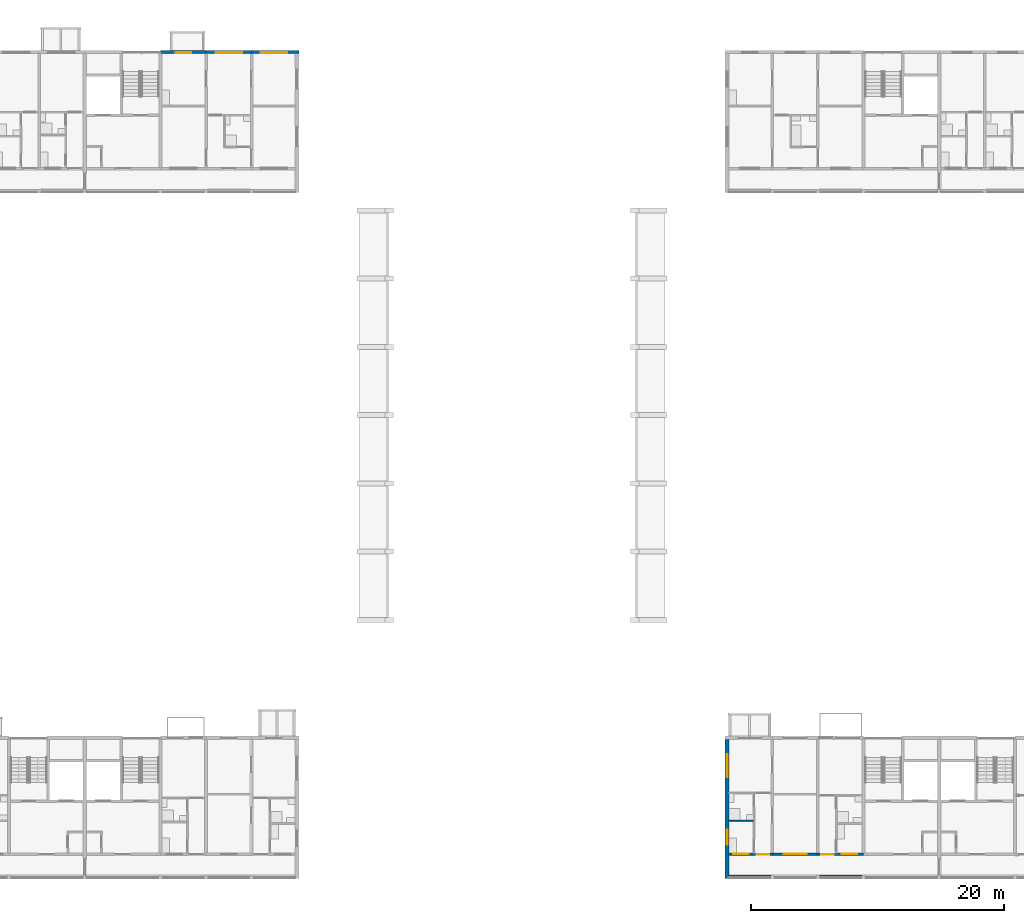
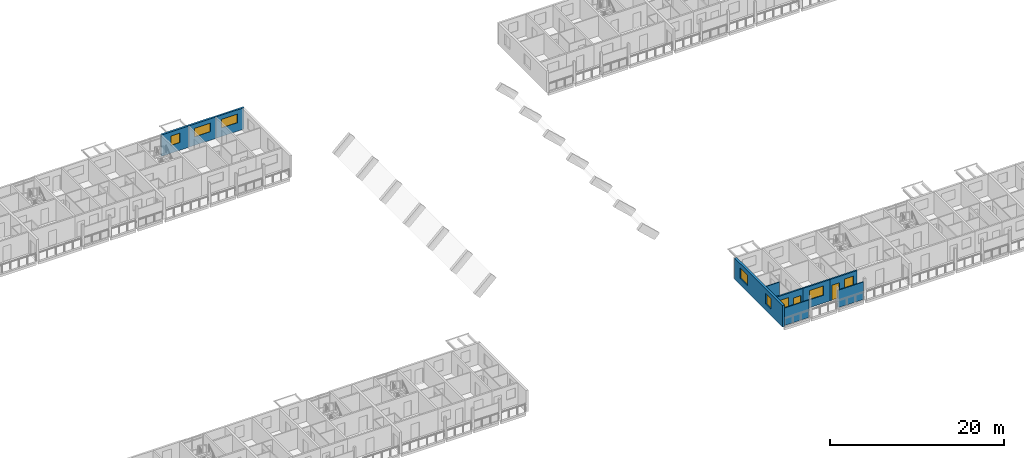
# One storey, part 45 of 98: 10 walls, 8 windows, 2 doors, 10 openings.
"""IFC4 building model written with IfcOpenShell, lengths in metres."""

from ifc_helpers import new_model, si_unit, direction, frame, frame_2d, origin, place, context, subcontext, project, spatial, rectangle, extrude, material, layer, layer_set, type_object, element, fill, save


model = new_model("IFC4")

# Units and contexts
model_context = context("Model", 3, precision=1e-05, world=origin(), true_north=direction((0.0, 1.0)))
body_context = subcontext(model_context, "Body", "Model", "MODEL_VIEW")
ifc_project = project(units=[si_unit("LENGTHUNIT", "METRE"), si_unit("AREAUNIT", "SQUARE_METRE"), si_unit("VOLUMEUNIT", "CUBIC_METRE"), si_unit("PLANEANGLEUNIT", "RADIAN"), si_unit("MASSUNIT", "GRAM", prefix="KILO")], contexts=[model_context])

# Site, building, storey
site_placement = place(None, origin())
site = spatial("IfcSite", under=ifc_project, at=site_placement, CompositionType="ELEMENT")
building_placement = place(site_placement, origin())
building = spatial("IfcBuilding", under=site, at=building_placement, Name="Ridgestep Commons", CompositionType="ELEMENT")
storey_placement = place(building_placement, frame((0.0, 0.0, 12.0)))
storey = spatial("IfcBuildingStorey", under=building, at=storey_placement, Name="L04", CompositionType="ELEMENT", Elevation=12.0)

# Wall, openings, windows
ifc_material_1 = material(Name="Precast concrete C40/50", Category="concrete")
ifc_layer_1 = layer(ifc_material_1, 0.300048828125)
ifc_layer_set_1 = layer_set([ifc_layer_1], Name="Exposed division wall 300")
wall_type_1 = type_object("IfcWallType", Name="Exposed division wall 300", PredefinedType="SHEAR", material=ifc_layer_set_1)
wall_1_placement = place(storey_placement, frame((146.800048828125, 11.75, 0.0), z_axis=(0.0, 0.0, 1.0), x_axis=(0.0, 1.0, 0.0)))
wall_1 = element("IfcWall", 1, at=wall_1_placement, inside=storey, type_object=wall_type_1, Name="Cross wall D-04-1468", PredefinedType="SHEAR", context=body_context, shape_type="SweptSolid", body=[
    extrude(rectangle(XDim=11.0, YDim=0.300048828125, at=frame_2d((5.5, 0.0))), origin(), (0.0, 0.0, 1.0), 3.0),
])
opening_1_placement = place(wall_1_placement, frame((2.64990234375, 0.0, 0.89990234375)))
opening_1 = element("IfcOpeningElement", 2, at=opening_1_placement, cuts=wall_1, Name="Opening W10", PredefinedType="OPENING", context=body_context, shape_type="SweptSolid", body=[
    extrude(rectangle(XDim=1.199951171875, YDim=1.5, at=frame_2d((0.60009765625, 0.75))), frame((0.0, 0.159912109375, 0.0), z_axis=(0.0, -1.0, 0.0), x_axis=(1.0, 0.0, 0.0)), (0.0, 0.0, 1.0), 0.320068359375),
])
opening_2_placement = place(wall_1_placement, frame((8.0048828125, 0.0, 0.89990234375)))
opening_2 = element("IfcOpeningElement", 3, at=opening_2_placement, cuts=wall_1, Name="Opening W20", PredefinedType="OPENING", context=body_context, shape_type="SweptSolid", body=[
    extrude(rectangle(XDim=1.800048828125, YDim=1.5, at=frame_2d((0.89990234375, 0.75))), frame((0.0, 0.159912109375, 0.0), z_axis=(0.0, -1.0, 0.0), x_axis=(1.0, 0.0, 0.0)), (0.0, 0.0, 1.0), 0.320068359375),
])
ifc_material_2 = material(Name="Aluminium 6063-T6 and glass", Category="aluminium")
window_type_1 = type_object("IfcWindowType", Name="Flat window 1200 x 1500", PartitioningType="SINGLE_PANEL", PredefinedType="WINDOW", material=ifc_material_2)
window_1_placement = place(opening_1_placement, origin())
window_1 = element("IfcWindow", 4, at=window_1_placement, inside=storey, type_object=window_type_1, Name="Window D1-04a 5", OverallHeight=1.5, OverallWidth=1.199951171875, PartitioningType="SINGLE_PANEL", PredefinedType="WINDOW", context=body_context, shape_type="SweptSolid", body=[
    extrude(rectangle(XDim=1.199951171875, YDim=1.5, at=frame_2d((0.60009765625, 0.75))), frame((0.0, 0.0, 0.0), z_axis=(0.0, -1.0, 0.0), x_axis=(1.0, 0.0, 0.0)), (0.0, 0.0, 1.0), 0.06005859375),
])
fill(opening_1, window_1)
ifc_material_3 = material(Name="Aluminium 6063-T6 and glass", Category="aluminium")
window_type_2 = type_object("IfcWindowType", Name="Flat window 1800 x 1500", PartitioningType="DOUBLE_PANEL_VERTICAL", PredefinedType="WINDOW", material=ifc_material_3)
window_2_placement = place(opening_2_placement, origin())
window_2 = element("IfcWindow", 5, at=window_2_placement, inside=storey, type_object=window_type_2, Name="Window D1-04a 6", OverallHeight=1.5, OverallWidth=1.800048828125, PartitioningType="SINGLE_PANEL", PredefinedType="WINDOW", context=body_context, shape_type="SweptSolid", body=[
    extrude(rectangle(XDim=1.800048828125, YDim=1.5, at=frame_2d((0.89990234375, 0.75))), frame((0.0, 0.0, 0.0), z_axis=(0.0, -1.0, 0.0), x_axis=(1.0, 0.0, 0.0)), (0.0, 0.0, 1.0), 0.06005859375),
])
fill(opening_2, window_2)

# Wall, opening, window
ifc_material_4 = material(Name="Precast concrete C40/50", Category="concrete")
ifc_layer_2 = layer(ifc_material_4, 0.25)
ifc_layer_set_2 = layer_set([ifc_layer_2], Name="North facade panel 250")
wall_type_2 = type_object("IfcWallType", Name="North facade panel 250", PredefinedType="SOLIDWALL", material=ifc_layer_set_2)
wall_2_placement = place(storey_placement, frame((102.0, 77.125, 0.0), z_axis=(0.0, 0.0, 1.0), x_axis=(1.0, 0.0, 0.0)))
wall_2 = element("IfcWall", 6, at=wall_2_placement, inside=storey, type_object=wall_type_2, Name="North panel B6T3 L04", PredefinedType="SOLIDWALL", context=body_context, shape_type="SweptSolid", body=[
    extrude(rectangle(XDim=3.60009765625, YDim=0.25, at=frame_2d((1.800048828125, 0.0))), origin(), (0.0, 0.0, 1.0), 3.0),
])
opening_3_placement = place(wall_2_placement, frame((1.21240234375, 0.0, 1.10009765625)))
opening_3 = element("IfcOpeningElement", 7, at=opening_3_placement, cuts=wall_2, Name="Opening W08", PredefinedType="OPENING", context=body_context, shape_type="SweptSolid", body=[
    extrude(rectangle(XDim=1.199951171875, YDim=1.300048828125, at=frame_2d((0.60009765625, 0.64990234375))), frame((0.0, 0.135009765625, 0.0), z_axis=(0.0, -1.0, 0.0), x_axis=(1.0, 0.0, 0.0)), (0.0, 0.0, 1.0), 0.27001953125),
])
ifc_material_5 = material(Name="Aluminium 6063-T6 and glass", Category="aluminium")
window_type_3 = type_object("IfcWindowType", Name="Flat window 1200 x 1300", PartitioningType="SINGLE_PANEL", PredefinedType="WINDOW", material=ifc_material_5)
window_3_placement = place(opening_3_placement, origin())
window_3 = element("IfcWindow", 8, at=window_3_placement, inside=storey, type_object=window_type_3, Name="Window B6-04a 2", OverallHeight=1.300048828125, OverallWidth=1.199951171875, PartitioningType="SINGLE_PANEL", PredefinedType="WINDOW", context=body_context, shape_type="SweptSolid", body=[
    extrude(rectangle(XDim=1.199951171875, YDim=1.300048828125, at=frame_2d((0.60009765625, 0.64990234375))), frame((0.0, -0.02490234375, 0.0), z_axis=(0.0, -1.0, 0.0), x_axis=(1.0, 0.0, 0.0)), (0.0, 0.0, 1.0), 0.06005859375),
])
fill(opening_3, window_3)

wall_3_placement = place(storey_placement, frame((105.60009765625, 77.125, 0.0), z_axis=(0.0, 0.0, 1.0), x_axis=(1.0, 0.0, 0.0)))
wall_3 = element("IfcWall", 9, at=wall_3_placement, inside=storey, type_object=wall_type_2, Name="North panel B6T2 L04", PredefinedType="SOLIDWALL", context=body_context, shape_type="SweptSolid", body=[
    extrude(rectangle(XDim=3.599853515625, YDim=0.25, at=frame_2d((1.7998046875, 0.0))), origin(), (0.0, 0.0, 1.0), 3.0),
])
opening_4_placement = place(wall_3_placement, frame((0.75, 0.0, 1.199951171875)))
opening_4 = element("IfcOpeningElement", 10, at=opening_4_placement, cuts=wall_3, Name="Opening W22", PredefinedType="OPENING", context=body_context, shape_type="SweptSolid", body=[
    extrude(rectangle(XDim=2.10009765625, YDim=1.199951171875, at=frame_2d((1.050048828125, 0.60009765625))), frame((0.0, 0.135009765625, 0.0), z_axis=(0.0, -1.0, 0.0), x_axis=(1.0, 0.0, 0.0)), (0.0, 0.0, 1.0), 0.27001953125),
])
ifc_material_6 = material(Name="Aluminium 6063-T6 and glass", Category="aluminium")
window_type_4 = type_object("IfcWindowType", Name="Flat window 2100 x 1200", PartitioningType="DOUBLE_PANEL_VERTICAL", PredefinedType="WINDOW", material=ifc_material_6)
window_4_placement = place(opening_4_placement, origin())
window_4 = element("IfcWindow", 11, at=window_4_placement, inside=storey, type_object=window_type_4, Name="Window B6-04a 5", OverallHeight=1.199951171875, OverallWidth=2.10009765625, PartitioningType="SINGLE_PANEL", PredefinedType="WINDOW", context=body_context, shape_type="SweptSolid", body=[
    extrude(rectangle(XDim=2.10009765625, YDim=1.199951171875, at=frame_2d((1.050048828125, 0.60009765625))), frame((0.0, -0.02490234375, 0.0), z_axis=(0.0, -1.0, 0.0), x_axis=(1.0, 0.0, 0.0)), (0.0, 0.0, 1.0), 0.06005859375),
])
fill(opening_4, window_4)

wall_4_placement = place(storey_placement, frame((109.199951171875, 77.125, 0.0), z_axis=(0.0, 0.0, 1.0), x_axis=(1.0, 0.0, 0.0)))
wall_4 = element("IfcWall", 12, at=wall_4_placement, inside=storey, type_object=wall_type_2, Name="North panel B6T1 L04", PredefinedType="SOLIDWALL", context=body_context, shape_type="SweptSolid", body=[
    extrude(rectangle(XDim=3.75, YDim=0.25, at=frame_2d((1.875, 0.0))), origin(), (0.0, 0.0, 1.0), 3.0),
])
opening_5_placement = place(wall_4_placement, frame((0.72509765625, 0.0, 1.199951171875)))
opening_5 = element("IfcOpeningElement", 13, at=opening_5_placement, cuts=wall_4, Name="Opening W22", PredefinedType="OPENING", context=body_context, shape_type="SweptSolid", body=[
    extrude(rectangle(XDim=2.10009765625, YDim=1.199951171875, at=frame_2d((1.050048828125, 0.60009765625))), frame((0.0, 0.135009765625, 0.0), z_axis=(0.0, -1.0, 0.0), x_axis=(1.0, 0.0, 0.0)), (0.0, 0.0, 1.0), 0.27001953125),
])
window_5_placement = place(opening_5_placement, origin())
window_5 = element("IfcWindow", 14, at=window_5_placement, inside=storey, type_object=window_type_4, Name="Window B6-04a 4", OverallHeight=1.199951171875, OverallWidth=2.10009765625, PartitioningType="SINGLE_PANEL", PredefinedType="WINDOW", context=body_context, shape_type="SweptSolid", body=[
    extrude(rectangle(XDim=2.10009765625, YDim=1.199951171875, at=frame_2d((1.050048828125, 0.60009765625))), frame((0.0, -0.02490234375, 0.0), z_axis=(0.0, -1.0, 0.0), x_axis=(1.0, 0.0, 0.0)), (0.0, 0.0, 1.0), 0.06005859375),
])
fill(opening_5, window_5)

# Walls
ifc_material_7 = material(Name="Common brick 110 mm", Category="masonry")
ifc_layer_3 = layer(ifc_material_7, 0.110107421875)
ifc_layer_set_3 = layer_set([ifc_layer_3], Name="Partition 110")
wall_type_3 = type_object("IfcWallType", Name="Partition 110", PredefinedType="PARTITIONING", material=ifc_layer_set_3)
wall_5_placement = place(storey_placement, frame((146.949951171875, 16.304931640625, 0.0), z_axis=(0.0, 0.0, 1.0), x_axis=(1.0, 0.0, 0.0)))
element("IfcWall", 15, at=wall_5_placement, inside=storey, type_object=wall_type_3, Name="Partition D1-04a", PredefinedType="PARTITIONING", context=body_context, shape_type="SweptSolid", body=[
    extrude(rectangle(XDim=1.93994140625, YDim=0.110107421875, at=frame_2d((0.969970703125, 0.0))), origin(), (0.0, 0.0, 1.0), 2.800048828125),
])
ifc_material_8 = material(Name="Precast concrete C30/37", Category="concrete")
ifc_layer_4 = layer(ifc_material_8, 0.10009765625)
ifc_layer_set_4 = layer_set([ifc_layer_4], Name="Perforated gallery screen 3325 x 2450 x 100")
wall_type_4 = type_object("IfcWallType", Name="Perforated gallery screen 3325 x 2450 x 100", PredefinedType="SOLIDWALL", material=ifc_layer_set_4)
wall_6_placement = place(storey_placement, frame((146.949951171875, 11.949951171875, 0.0), z_axis=(0.0, 0.0, 1.0), x_axis=(1.0, 0.0, 0.0)))
element("IfcWall", 16, at=wall_6_placement, inside=storey, type_object=wall_type_4, Name="Gallery screen D1T1 04", PredefinedType="SOLIDWALL", context=body_context, shape_type="SweptSolid", body=[
    extrude(rectangle(XDim=3.324951171875, YDim=0.10009765625, at=frame_2d((1.66259765625, 0.0))), origin(), (0.0, 0.0, 1.0), 2.449951171875),
])
ifc_material_9 = material(Name="Precast concrete C30/37", Category="concrete")
ifc_layer_5 = layer(ifc_material_9, 0.10009765625)
ifc_layer_set_5 = layer_set([ifc_layer_5], Name="Perforated gallery screen 3350 x 2450 x 100")
wall_type_5 = type_object("IfcWallType", Name="Perforated gallery screen 3350 x 2450 x 100", PredefinedType="SOLIDWALL", material=ifc_layer_set_5)
wall_7_placement = place(storey_placement, frame((154.125, 11.949951171875, 0.0), z_axis=(0.0, 0.0, 1.0), x_axis=(1.0, 0.0, 0.0)))
element("IfcWall", 17, at=wall_7_placement, inside=storey, type_object=wall_type_5, Name="Gallery screen D1T3 04", PredefinedType="SOLIDWALL", context=body_context, shape_type="SweptSolid", body=[
    extrude(rectangle(XDim=3.35009765625, YDim=0.10009765625, at=frame_2d((1.675048828125, 0.0))), origin(), (0.0, 0.0, 1.0), 2.449951171875),
])

# Wall, openings, door, window
ifc_material_10 = material(Name="Precast concrete C40/50", Category="concrete")
ifc_layer_6 = layer(ifc_material_10, 0.199951171875)
ifc_layer_set_6 = layer_set([ifc_layer_6], Name="South facade panel 200")
wall_type_6 = type_object("IfcWallType", Name="South facade panel 200", PredefinedType="SOLIDWALL", material=ifc_layer_set_6)
wall_8_placement = place(storey_placement, frame((146.949951171875, 13.64990234375, 0.0), z_axis=(0.0, 0.0, 1.0), x_axis=(1.0, 0.0, 0.0)))
wall_8 = element("IfcWall", 18, at=wall_8_placement, inside=storey, type_object=wall_type_6, Name="South panel D1T1 L04", PredefinedType="SOLIDWALL", context=body_context, shape_type="SweptSolid", body=[
    extrude(rectangle(XDim=3.449951171875, YDim=0.199951171875, at=frame_2d((1.72509765625, 0.0))), origin(), (0.0, 0.0, 1.0), 3.0),
])
opening_6_placement = place(wall_8_placement, frame((0.3701171875, 0.0, 1.10009765625)))
opening_6 = element("IfcOpeningElement", 19, at=opening_6_placement, cuts=wall_8, Name="Opening W08", PredefinedType="OPENING", context=body_context, shape_type="SweptSolid", body=[
    extrude(rectangle(XDim=1.199951171875, YDim=1.300048828125, at=frame_2d((0.60009765625, 0.64990234375))), frame((0.0, 0.10986328125, 0.0), z_axis=(0.0, -1.0, 0.0), x_axis=(1.0, 0.0, 0.0)), (0.0, 0.0, 1.0), 0.219970703125),
])
opening_7_placement = place(wall_8_placement, frame((2.199951171875, 0.0, 0.0)))
opening_7 = element("IfcOpeningElement", 20, at=opening_7_placement, cuts=wall_8, Name="Opening D1-04a/1", PredefinedType="OPENING", context=body_context, shape_type="SweptSolid", body=[
    extrude(rectangle(XDim=1.0, YDim=2.10009765625, at=frame_2d((0.5, 1.050048828125))), frame((0.0, 0.10986328125, 0.0), z_axis=(0.0, -1.0, 0.0), x_axis=(1.0, 0.0, 0.0)), (0.0, 0.0, 1.0), 0.219970703125),
])
ifc_material_11 = material(Name="Timber door leaf", Category="wood")
door_type = type_object("IfcDoorType", Name="Flat entrance door 1000 x 2100 FD30S", OperationType="NOTDEFINED", PredefinedType="DOOR", material=ifc_material_11)
door_1_placement = place(opening_7_placement, origin())
door_1 = element("IfcDoor", 21, at=door_1_placement, inside=storey, type_object=door_type, Name="Flat entrance door D1-04a/1", OperationType="SINGLE_SWING_RIGHT", OverallHeight=2.10009765625, OverallWidth=1.0, PredefinedType="DOOR", context=body_context, shape_type="SweptSolid", body=[
    extrude(rectangle(XDim=1.0, YDim=2.10009765625, at=frame_2d((0.5, 1.050048828125))), frame((0.0, 0.02490234375, 0.0), z_axis=(0.0, -1.0, 0.0), x_axis=(1.0, 0.0, 0.0)), (0.0, 0.0, 1.0), 0.050048828125),
])
fill(opening_7, door_1)
window_6_placement = place(opening_6_placement, origin())
window_6 = element("IfcWindow", 22, at=window_6_placement, inside=storey, type_object=window_type_3, Name="Window D1-04a 3", OverallHeight=1.300048828125, OverallWidth=1.199951171875, PartitioningType="SINGLE_PANEL", PredefinedType="WINDOW", context=body_context, shape_type="SweptSolid", body=[
    extrude(rectangle(XDim=1.199951171875, YDim=1.300048828125, at=frame_2d((0.60009765625, 0.64990234375))), frame((0.0, 0.06005859375, 0.0), z_axis=(0.0, -1.0, 0.0), x_axis=(1.0, 0.0, 0.0)), (0.0, 0.0, 1.0), 0.06005859375),
])
fill(opening_6, window_6)

# Wall, opening, window
wall_9_placement = place(storey_placement, frame((150.39990234375, 13.64990234375, 0.0), z_axis=(0.0, 0.0, 1.0), x_axis=(1.0, 0.0, 0.0)))
wall_9 = element("IfcWall", 23, at=wall_9_placement, inside=storey, type_object=wall_type_6, Name="South panel D1T2 L04", PredefinedType="SOLIDWALL", context=body_context, shape_type="SweptSolid", body=[
    extrude(rectangle(XDim=3.60009765625, YDim=0.199951171875, at=frame_2d((1.800048828125, 0.0))), origin(), (0.0, 0.0, 1.0), 3.0),
])
opening_8_placement = place(wall_9_placement, frame((0.89990234375, 0.0, 1.10009765625)))
opening_8 = element("IfcOpeningElement", 24, at=opening_8_placement, cuts=wall_9, Name="Opening W18", PredefinedType="OPENING", context=body_context, shape_type="SweptSolid", body=[
    extrude(rectangle(XDim=1.800048828125, YDim=1.300048828125, at=frame_2d((0.89990234375, 0.64990234375))), frame((0.0, 0.10986328125, 0.0), z_axis=(0.0, -1.0, 0.0), x_axis=(1.0, 0.0, 0.0)), (0.0, 0.0, 1.0), 0.219970703125),
])
ifc_material_12 = material(Name="Aluminium 6063-T6 and glass", Category="aluminium")
window_type_5 = type_object("IfcWindowType", Name="Flat window 1800 x 1300", PartitioningType="DOUBLE_PANEL_VERTICAL", PredefinedType="WINDOW", material=ifc_material_12)
window_7_placement = place(opening_8_placement, origin())
window_7 = element("IfcWindow", 25, at=window_7_placement, inside=storey, type_object=window_type_5, Name="Window D1-04a 1", OverallHeight=1.300048828125, OverallWidth=1.800048828125, PartitioningType="SINGLE_PANEL", PredefinedType="WINDOW", context=body_context, shape_type="SweptSolid", body=[
    extrude(rectangle(XDim=1.800048828125, YDim=1.300048828125, at=frame_2d((0.89990234375, 0.64990234375))), frame((0.0, 0.06005859375, 0.0), z_axis=(0.0, -1.0, 0.0), x_axis=(1.0, 0.0, 0.0)), (0.0, 0.0, 1.0), 0.06005859375),
])
fill(opening_8, window_7)

# Wall, openings, door, window
wall_10_placement = place(storey_placement, frame((154.0, 13.64990234375, 0.0), z_axis=(0.0, 0.0, 1.0), x_axis=(1.0, 0.0, 0.0)))
wall_10 = element("IfcWall", 26, at=wall_10_placement, inside=storey, type_object=wall_type_6, Name="South panel D1T3 L04", PredefinedType="SOLIDWALL", context=body_context, shape_type="SweptSolid", body=[
    extrude(rectangle(XDim=3.60009765625, YDim=0.199951171875, at=frame_2d((1.800048828125, 0.0))), origin(), (0.0, 0.0, 1.0), 3.0),
])
opening_9_placement = place(wall_10_placement, frame((1.892578125, 0.0, 1.10009765625)))
opening_9 = element("IfcOpeningElement", 27, at=opening_9_placement, cuts=wall_10, Name="Opening W08", PredefinedType="OPENING", context=body_context, shape_type="SweptSolid", body=[
    extrude(rectangle(XDim=1.199951171875, YDim=1.300048828125, at=frame_2d((0.60009765625, 0.64990234375))), frame((0.0, 0.10986328125, 0.0), z_axis=(0.0, -1.0, 0.0), x_axis=(1.0, 0.0, 0.0)), (0.0, 0.0, 1.0), 0.219970703125),
])
opening_10_placement = place(wall_10_placement, frame((0.25, 0.0, 0.0)))
opening_10 = element("IfcOpeningElement", 28, at=opening_10_placement, cuts=wall_10, Name="Opening D1-04b/1", PredefinedType="OPENING", context=body_context, shape_type="SweptSolid", body=[
    extrude(rectangle(XDim=1.0, YDim=2.10009765625, at=frame_2d((0.5, 1.050048828125))), frame((0.0, 0.10986328125, 0.0), z_axis=(0.0, -1.0, 0.0), x_axis=(1.0, 0.0, 0.0)), (0.0, 0.0, 1.0), 0.219970703125),
])
door_2_placement = place(opening_10_placement, origin())
door_2 = element("IfcDoor", 29, at=door_2_placement, inside=storey, type_object=door_type, Name="Flat entrance door D1-04b/1", OperationType="SINGLE_SWING_LEFT", OverallHeight=2.10009765625, OverallWidth=1.0, PredefinedType="DOOR", context=body_context, shape_type="SweptSolid", body=[
    extrude(rectangle(XDim=1.0, YDim=2.10009765625, at=frame_2d((0.5, 1.050048828125))), frame((0.0, 0.02490234375, 0.0), z_axis=(0.0, -1.0, 0.0), x_axis=(1.0, 0.0, 0.0)), (0.0, 0.0, 1.0), 0.050048828125),
])
fill(opening_10, door_2)
window_8_placement = place(opening_9_placement, origin())
window_8 = element("IfcWindow", 30, at=window_8_placement, inside=storey, type_object=window_type_3, Name="Window D1-04b 1", OverallHeight=1.300048828125, OverallWidth=1.199951171875, PartitioningType="SINGLE_PANEL", PredefinedType="WINDOW", context=body_context, shape_type="SweptSolid", body=[
    extrude(rectangle(XDim=1.199951171875, YDim=1.300048828125, at=frame_2d((0.60009765625, 0.64990234375))), frame((0.0, 0.06005859375, 0.0), z_axis=(0.0, -1.0, 0.0), x_axis=(1.0, 0.0, 0.0)), (0.0, 0.0, 1.0), 0.06005859375),
])
fill(opening_9, window_8)

save(model, "model.ifc")
